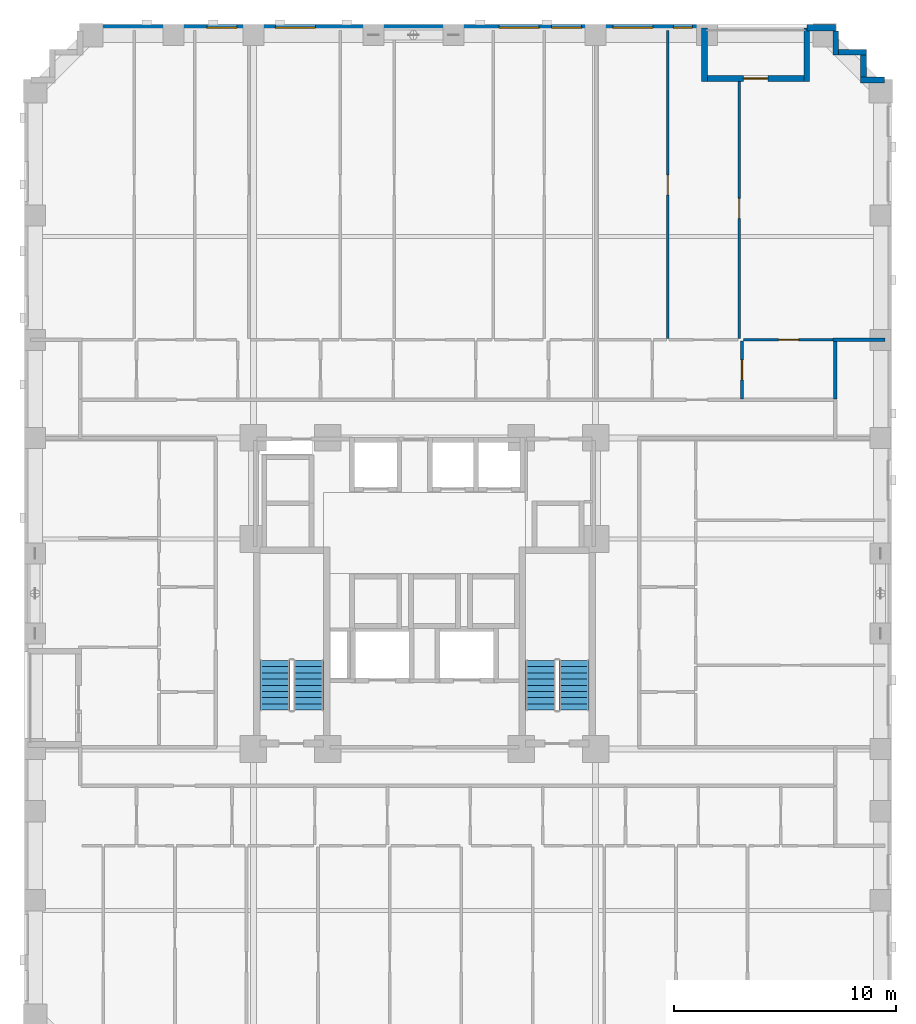
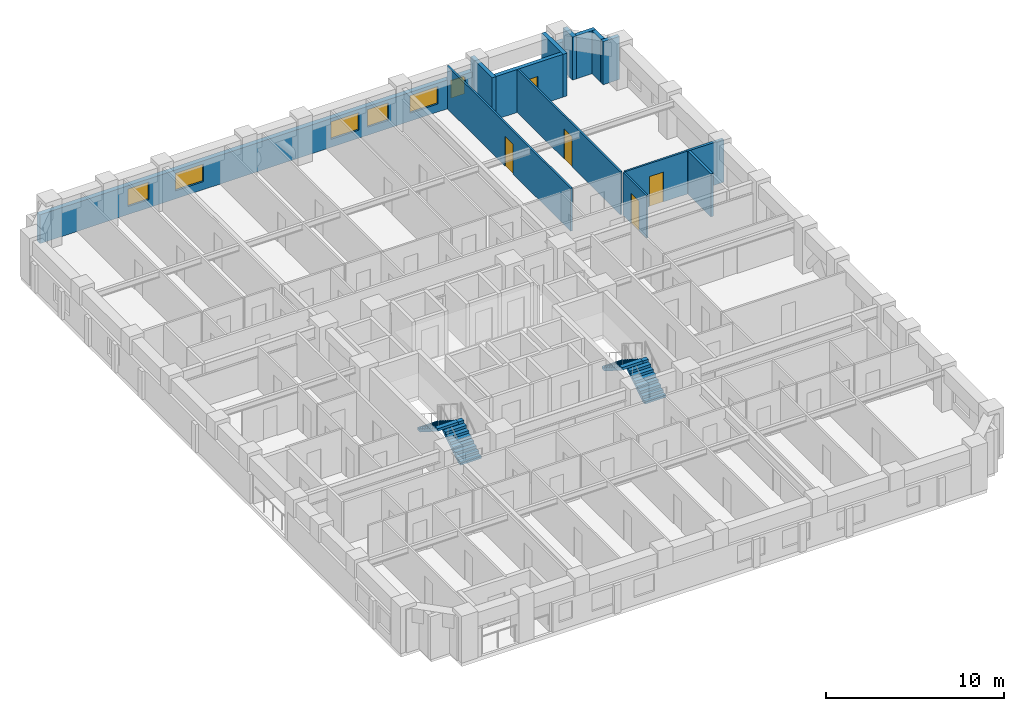
# One storey, part 9 of 14: 15 walls, 6 windows, 5 doors, 4 stair flights, 11 openings, 2 elements without a shape of their own.
"""IFC4 building model written with IfcOpenShell, lengths in metres."""

from ifc_helpers import new_model, si_unit, derived_unit, direction, frame, frame_2d, origin, place, context, subcontext, project, spatial, polyline, rectangle, outline, extrude, material, layer, layer_set, type_object, element, fill, aggregate, save


model = new_model("IFC4")

# Units and contexts
model_context = context("Model", 3, precision=1e-05, world=origin(), true_north=direction((0.0, 1.0)))
body_context = subcontext(model_context, "Body", "Model", "MODEL_VIEW")
ifc_project = project(units=[si_unit("LENGTHUNIT", "METRE"), si_unit("AREAUNIT", "SQUARE_METRE"), si_unit("VOLUMEUNIT", "CUBIC_METRE"), si_unit("PLANEANGLEUNIT", "RADIAN"), si_unit("MASSUNIT", "GRAM", prefix="KILO"), derived_unit("THERMALTRANSMITTANCEUNIT", [(si_unit("MASSUNIT", "GRAM", prefix="KILO"), 1), (si_unit("TIMEUNIT", "SECOND"), -3), (si_unit("THERMODYNAMICTEMPERATUREUNIT", "KELVIN"), -1)])], contexts=[model_context])

# Site, building, storey
site_placement = place(None, origin())
site = spatial("IfcSite", under=ifc_project, at=site_placement, CompositionType="ELEMENT")
building_placement = place(site_placement, origin())
building = spatial("IfcBuilding", under=site, at=building_placement, Name="Korrvale Station Residences", CompositionType="ELEMENT")
storey_placement = place(building_placement, frame((0.0, 0.0, 29.0)))
storey = spatial("IfcBuildingStorey", under=building, at=storey_placement, Name="L06", CompositionType="ELEMENT", Elevation=29.0)

# Wall
ifc_material_1 = material(Name="Precast concrete C45/55", Category="concrete")
ifc_layer_1 = layer(ifc_material_1, 0.260009765625, Name="Precast concrete C45/55")
ifc_layer_set_1 = layer_set([ifc_layer_1], Name="Precast concrete C45/55")
wall_type_1 = type_object("IfcWallType", Name="WAL-EXT-LOG260", PredefinedType="SOLIDWALL", material=ifc_layer_set_1)
wall_1_placement = place(storey_placement, frame((38.10009765625, 47.43994140625, 0.0), z_axis=(0.0, 0.0, 1.0), x_axis=(0.0, -1.0, 0.0)))
element("IfcWall", 1, at=wall_1_placement, inside=storey, type_object=wall_type_1, Name="L06 Recessed Loggia Wall BAL-L06-N1-L", PredefinedType="SOLIDWALL", context=body_context, shape_type="SweptSolid", body=[
    extrude(rectangle(XDim=2.39990234375, YDim=0.260009765625, at=frame_2d((1.199951171875, 0.0))), origin(), (0.0, 0.0, 1.0), 2.93994140625),
])

# Wall, opening, door
wall_2_placement = place(storey_placement, frame((38.23388671875, 45.169921875, 0.0), z_axis=(0.0, 0.0, 1.0), x_axis=(1.0, 0.0, 0.0)))
wall_2 = element("IfcWall", 2, at=wall_2_placement, inside=storey, type_object=wall_type_1, Name="L06 Recessed Loggia Wall BAL-L06-N1-B", PredefinedType="SOLIDWALL", context=body_context, shape_type="SweptSolid", body=[
    extrude(rectangle(XDim=4.33203125, YDim=0.260009765625, at=frame_2d((2.166015625, 0.0))), origin(), (0.0, 0.0, 1.0), 2.93994140625),
])
opening_1_placement = place(wall_2_placement, frame((1.615966796875, 0.0, 0.0)))
opening_1 = element("IfcOpeningElement", 3, at=opening_1_placement, cuts=wall_2, Name="Opening BD-01", PredefinedType="OPENING", context=body_context, shape_type="SweptSolid", body=[
    extrude(rectangle(XDim=1.10009765625, YDim=2.0, at=frame_2d((0.550048828125, 1.0))), frame((0.0, 0.14013671875, 0.0), z_axis=(0.0, -1.0, 0.0), x_axis=(1.0, 0.0, 0.0)), (0.0, 0.0, 1.0), 0.280029296875),
])
ifc_material_2 = material(Name="Exterior thermally broken aluminium glazed balcony door", Category="aluminium")
door_type_1 = type_object("IfcDoorType", Name="DR-EXT-BAL", OperationType="NOTDEFINED", PredefinedType="DOOR", material=ifc_material_2)
door_1_placement = place(opening_1_placement, origin())
door_1 = element("IfcDoor", 4, at=door_1_placement, inside=storey, type_object=door_type_1, Name="L06 Loggia Balcony Door BAL-L06-N1", OperationType="SINGLE_SWING_RIGHT", OverallHeight=2.0, OverallWidth=1.10009765625, PredefinedType="DOOR", context=body_context, shape_type="SweptSolid", body=[
    extrude(rectangle(XDim=1.10009765625, YDim=2.0, at=frame_2d((0.550048828125, 1.0))), frame((0.0, 0.02490234375, 0.0), z_axis=(0.0, -1.0, 0.0), x_axis=(1.0, 0.0, 0.0)), (0.0, 0.0, 1.0), 0.050048828125),
])
fill(opening_1, door_1)

# Walls
wall_3_placement = place(storey_placement, frame((42.699951171875, 45.0400390625, 0.0), z_axis=(0.0, 0.0, 1.0), x_axis=(0.0, 1.0, 0.0)))
element("IfcWall", 5, at=wall_3_placement, inside=storey, type_object=wall_type_1, Name="L06 Recessed Loggia Wall BAL-L06-N1-R", PredefinedType="SOLIDWALL", context=body_context, shape_type="SweptSolid", body=[
    extrude(rectangle(XDim=2.39990234375, YDim=0.260009765625, at=frame_2d((1.199951171875, 0.0))), origin(), (0.0, 0.0, 1.0), 2.93994140625),
])
wall_4_placement = place(storey_placement, frame((44.0, 47.298095703125, 0.0), z_axis=(0.0, 0.0, 1.0), x_axis=(0.0, -1.0, 0.0)))
element("IfcWall", 6, at=wall_4_placement, inside=storey, type_object=wall_type_1, Name="L06 Serrated Corner Precast Step NE-1", PredefinedType="SOLIDWALL", context=body_context, shape_type="SweptSolid", body=[
    extrude(rectangle(XDim=1.078125, YDim=0.260009765625, at=frame_2d((0.5390625, 0.0))), origin(), (0.0, 0.0, 1.0), 2.93994140625),
])
wall_5_placement = place(storey_placement, frame((44.132080078125, 46.35009765625, 0.0), z_axis=(0.0, 0.0, 1.0), x_axis=(1.0, 0.0, 0.0)))
element("IfcWall", 7, at=wall_5_placement, inside=storey, type_object=wall_type_1, Name="L06 Serrated Corner Precast Step NE-2", PredefinedType="SOLIDWALL", context=body_context, shape_type="SweptSolid", body=[
    extrude(rectangle(XDim=1.247802734375, YDim=0.260009765625, at=frame_2d((0.6240234375, 0.0))), origin(), (0.0, 0.0, 1.0), 2.93994140625),
])
wall_6_placement = place(storey_placement, frame((45.25, 46.218017578125, 0.0), z_axis=(0.0, 0.0, 1.0), x_axis=(0.0, -1.0, 0.0)))
element("IfcWall", 8, at=wall_6_placement, inside=storey, type_object=wall_type_1, Name="L06 Serrated Corner Precast Step NE-3", PredefinedType="SOLIDWALL", context=body_context, shape_type="SweptSolid", body=[
    extrude(rectangle(XDim=0.986083984375, YDim=0.260009765625, at=frame_2d((0.4931640625, 0.0))), origin(), (0.0, 0.0, 1.0), 2.93994140625),
])
wall_7_placement = place(storey_placement, frame((45.1201171875, 45.10009765625, 0.0), z_axis=(0.0, 0.0, 1.0), x_axis=(1.0, 0.0, 0.0)))
element("IfcWall", 9, at=wall_7_placement, inside=storey, type_object=wall_type_1, Name="L06 Serrated Corner Precast Step NE-4", PredefinedType="SOLIDWALL", context=body_context, shape_type="SweptSolid", body=[
    extrude(rectangle(XDim=1.077880859375, YDim=0.260009765625, at=frame_2d((0.5390625, 0.0))), origin(), (0.0, 0.0, 1.0), 2.93994140625),
])

# Wall, openings, windows
ifc_layer_2 = layer(ifc_material_1, 0.300048828125, Name="Precast concrete C45/55")
ifc_layer_set_2 = layer_set([ifc_layer_2], Name="Precast concrete C45/55")
wall_type_2 = type_object("IfcWallType", Name="WAL-EXT-PC300", PredefinedType="SOLIDWALL", material=ifc_layer_set_2)
wall_8_placement = place(storey_placement, frame((10.0, 47.449951171875, 0.0), z_axis=(0.0, 0.0, 1.0), x_axis=(1.0, 0.0, 0.0)))
wall_8 = element("IfcWall", 10, at=wall_8_placement, inside=storey, type_object=wall_type_2, Name="L06 North Exterior Precast Wall 1", PredefinedType="SOLIDWALL", context=body_context, shape_type="SweptSolid", body=[
    extrude(rectangle(XDim=28.10009765625, YDim=0.300048828125, at=frame_2d((14.050048828125, 0.0))), origin(), (0.0, 0.0, 1.0), 1.97509765625),
])
opening_2_placement = place(wall_8_placement, frame((5.7119140625, 0.0, 0.550048828125)))
opening_2 = element("IfcOpeningElement", 11, at=opening_2_placement, cuts=wall_8, Name="Opening W-10", PredefinedType="OPENING", context=body_context, shape_type="SweptSolid", body=[
    extrude(rectangle(XDim=1.35009765625, YDim=1.199951171875, at=frame_2d((0.675048828125, 0.60009765625))), frame((0.0, 0.16015625, 0.0), z_axis=(0.0, -1.0, 0.0), x_axis=(1.0, 0.0, 0.0)), (0.0, 0.0, 1.0), 0.320068359375),
])
opening_3_placement = place(wall_8_placement, frame((8.7919921875, 0.0, 0.550048828125)))
opening_3 = element("IfcOpeningElement", 12, at=opening_3_placement, cuts=wall_8, Name="Opening W-09", PredefinedType="OPENING", context=body_context, shape_type="SweptSolid", body=[
    extrude(rectangle(XDim=1.800048828125, YDim=1.199951171875, at=frame_2d((0.89990234375, 0.60009765625))), frame((0.0, 0.16015625, 0.0), z_axis=(0.0, -1.0, 0.0), x_axis=(1.0, 0.0, 0.0)), (0.0, 0.0, 1.0), 0.320068359375),
])
opening_4_placement = place(wall_8_placement, frame((18.860107421875, 0.0, 0.550048828125)))
opening_4 = element("IfcOpeningElement", 13, at=opening_4_placement, cuts=wall_8, Name="Opening W-09", PredefinedType="OPENING", context=body_context, shape_type="SweptSolid", body=[
    extrude(rectangle(XDim=1.800048828125, YDim=1.199951171875, at=frame_2d((0.89990234375, 0.60009765625))), frame((0.0, 0.16015625, 0.0), z_axis=(0.0, -1.0, 0.0), x_axis=(1.0, 0.0, 0.0)), (0.0, 0.0, 1.0), 0.320068359375),
])
opening_5_placement = place(wall_8_placement, frame((21.215087890625, 0.0, 0.550048828125)))
opening_5 = element("IfcOpeningElement", 14, at=opening_5_placement, cuts=wall_8, Name="Opening W-10", PredefinedType="OPENING", context=body_context, shape_type="SweptSolid", body=[
    extrude(rectangle(XDim=1.35009765625, YDim=1.199951171875, at=frame_2d((0.675048828125, 0.60009765625))), frame((0.0, 0.16015625, 0.0), z_axis=(0.0, -1.0, 0.0), x_axis=(1.0, 0.0, 0.0)), (0.0, 0.0, 1.0), 0.320068359375),
])
opening_6_placement = place(wall_8_placement, frame((23.968994140625, 0.0, 0.550048828125)))
opening_6 = element("IfcOpeningElement", 15, at=opening_6_placement, cuts=wall_8, Name="Opening W-09", PredefinedType="OPENING", context=body_context, shape_type="SweptSolid", body=[
    extrude(rectangle(XDim=1.800048828125, YDim=1.199951171875, at=frame_2d((0.89990234375, 0.60009765625))), frame((0.0, 0.16015625, 0.0), z_axis=(0.0, -1.0, 0.0), x_axis=(1.0, 0.0, 0.0)), (0.0, 0.0, 1.0), 0.320068359375),
])
opening_7_placement = place(wall_8_placement, frame((26.697998046875, 0.0, 0.550048828125)))
opening_7 = element("IfcOpeningElement", 16, at=opening_7_placement, cuts=wall_8, Name="Opening W-11", PredefinedType="OPENING", context=body_context, shape_type="SweptSolid", body=[
    extrude(rectangle(XDim=0.85009765625, YDim=1.199951171875, at=frame_2d((0.425048828125, 0.60009765625))), frame((0.0, 0.16015625, 0.0), z_axis=(0.0, -1.0, 0.0), x_axis=(1.0, 0.0, 0.0)), (0.0, 0.0, 1.0), 0.320068359375),
])
ifc_material_3 = material(Name="Thermally broken aluminium frame with triple low-e glazing", Category="aluminium")
window_type_1 = type_object("IfcWindowType", Name="WIN-W09", PartitioningType="DOUBLE_PANEL_VERTICAL", PredefinedType="WINDOW", material=ifc_material_3)
window_1_placement = place(opening_3_placement, origin())
window_1 = element("IfcWindow", 17, at=window_1_placement, inside=storey, type_object=window_type_1, Name="L06 Punched Window 16", OverallHeight=1.199951171875, OverallWidth=1.800048828125, PartitioningType="DOUBLE_PANEL_VERTICAL", PredefinedType="WINDOW", context=body_context, shape_type="SweptSolid", body=[
    extrude(rectangle(XDim=1.800048828125, YDim=1.199951171875, at=frame_2d((0.89990234375, 0.60009765625))), frame((0.0, 0.030029296875, 0.0), z_axis=(0.0, -1.0, 0.0), x_axis=(1.0, 0.0, 0.0)), (0.0, 0.0, 1.0), 0.06005859375),
])
fill(opening_3, window_1)
window_2_placement = place(opening_4_placement, origin())
window_2 = element("IfcWindow", 18, at=window_2_placement, inside=storey, type_object=window_type_1, Name="L06 Punched Window 17", OverallHeight=1.199951171875, OverallWidth=1.800048828125, PartitioningType="DOUBLE_PANEL_VERTICAL", PredefinedType="WINDOW", context=body_context, shape_type="SweptSolid", body=[
    extrude(rectangle(XDim=1.800048828125, YDim=1.199951171875, at=frame_2d((0.89990234375, 0.60009765625))), frame((0.0, 0.030029296875, 0.0), z_axis=(0.0, -1.0, 0.0), x_axis=(1.0, 0.0, 0.0)), (0.0, 0.0, 1.0), 0.06005859375),
])
fill(opening_4, window_2)
window_3_placement = place(opening_6_placement, origin())
window_3 = element("IfcWindow", 19, at=window_3_placement, inside=storey, type_object=window_type_1, Name="L06 Punched Window 19", OverallHeight=1.199951171875, OverallWidth=1.800048828125, PartitioningType="DOUBLE_PANEL_VERTICAL", PredefinedType="WINDOW", context=body_context, shape_type="SweptSolid", body=[
    extrude(rectangle(XDim=1.800048828125, YDim=1.199951171875, at=frame_2d((0.89990234375, 0.60009765625))), frame((0.0, 0.030029296875, 0.0), z_axis=(0.0, -1.0, 0.0), x_axis=(1.0, 0.0, 0.0)), (0.0, 0.0, 1.0), 0.06005859375),
])
fill(opening_6, window_3)
window_type_2 = type_object("IfcWindowType", Name="WIN-W10", PartitioningType="SINGLE_PANEL", PredefinedType="WINDOW", material=ifc_material_3)
window_4_placement = place(opening_2_placement, origin())
window_4 = element("IfcWindow", 20, at=window_4_placement, inside=storey, type_object=window_type_2, Name="L06 Punched Window 15", OverallHeight=1.199951171875, OverallWidth=1.35009765625, PartitioningType="SINGLE_PANEL", PredefinedType="WINDOW", context=body_context, shape_type="SweptSolid", body=[
    extrude(rectangle(XDim=1.35009765625, YDim=1.199951171875, at=frame_2d((0.675048828125, 0.60009765625))), frame((0.0, 0.030029296875, 0.0), z_axis=(0.0, -1.0, 0.0), x_axis=(1.0, 0.0, 0.0)), (0.0, 0.0, 1.0), 0.06005859375),
])
fill(opening_2, window_4)
window_5_placement = place(opening_5_placement, origin())
window_5 = element("IfcWindow", 21, at=window_5_placement, inside=storey, type_object=window_type_2, Name="L06 Punched Window 18", OverallHeight=1.199951171875, OverallWidth=1.35009765625, PartitioningType="SINGLE_PANEL", PredefinedType="WINDOW", context=body_context, shape_type="SweptSolid", body=[
    extrude(rectangle(XDim=1.35009765625, YDim=1.199951171875, at=frame_2d((0.675048828125, 0.60009765625))), frame((0.0, 0.030029296875, 0.0), z_axis=(0.0, -1.0, 0.0), x_axis=(1.0, 0.0, 0.0)), (0.0, 0.0, 1.0), 0.06005859375),
])
fill(opening_5, window_5)
window_type_3 = type_object("IfcWindowType", Name="WIN-W11", PartitioningType="SINGLE_PANEL", PredefinedType="WINDOW", material=ifc_material_3)
window_6_placement = place(opening_7_placement, origin())
window_6 = element("IfcWindow", 22, at=window_6_placement, inside=storey, type_object=window_type_3, Name="L06 Punched Window 20", OverallHeight=1.199951171875, OverallWidth=0.85009765625, PartitioningType="SINGLE_PANEL", PredefinedType="WINDOW", context=body_context, shape_type="SweptSolid", body=[
    extrude(rectangle(XDim=0.85009765625, YDim=1.199951171875, at=frame_2d((0.425048828125, 0.60009765625))), frame((0.0, 0.030029296875, 0.0), z_axis=(0.0, -1.0, 0.0), x_axis=(1.0, 0.0, 0.0)), (0.0, 0.0, 1.0), 0.06005859375),
])
fill(opening_7, window_6)

# Wall
wall_9_placement = place(storey_placement, frame((42.699951171875, 47.449951171875, 0.0), z_axis=(0.0, 0.0, 1.0), x_axis=(1.0, 0.0, 0.0)))
element("IfcWall", 23, at=wall_9_placement, inside=storey, type_object=wall_type_2, Name="L06 North Exterior Precast Wall 2", PredefinedType="SOLIDWALL", context=body_context, shape_type="SweptSolid", body=[
    extrude(rectangle(XDim=1.300048828125, YDim=0.300048828125, at=frame_2d((0.64990234375, 0.0))), origin(), (0.0, 0.0, 1.0), 1.97509765625),
])

# Wall, opening, door
ifc_material_4 = material(Name="Acoustic steel-stud gypsum board partition", Category="steel")
ifc_layer_3 = layer(ifc_material_4, 0.1201171875, Name="Acoustic steel-stud gypsum board partition")
ifc_layer_set_3 = layer_set([ifc_layer_3], Name="Acoustic steel-stud gypsum board partition")
wall_type_3 = type_object("IfcWallType", Name="WAL-PART-125", PredefinedType="PARTITIONING", material=ifc_layer_set_3)
wall_10_placement = place(storey_placement, frame((39.780029296875, 30.760009765625, 0.0), z_axis=(0.0, 0.0, 1.0), x_axis=(0.0, 1.0, 0.0)))
wall_10 = element("IfcWall", 24, at=wall_10_placement, inside=storey, type_object=wall_type_3, Name="L06 Suite Partition U03-V12", PredefinedType="PARTITIONING", context=body_context, shape_type="SweptSolid", body=[
    extrude(rectangle(XDim=2.60009765625, YDim=0.1201171875, at=frame_2d((1.300048828125, 0.0))), origin(), (0.0, 0.0, 1.0), 2.93994140625),
])
opening_8_placement = place(wall_10_placement, frame((0.85009765625, 0.0, 0.0)))
opening_8 = element("IfcOpeningElement", 25, at=opening_8_placement, cuts=wall_10, Name="Opening DI-900", PredefinedType="OPENING", context=body_context, shape_type="SweptSolid", body=[
    extrude(rectangle(XDim=0.89990234375, YDim=2.050048828125, at=frame_2d((0.449951171875, 1.02490234375))), frame((0.0, 0.070068359375, 0.0), z_axis=(0.0, -1.0, 0.0), x_axis=(1.0, 0.0, 0.0)), (0.0, 0.0, 1.0), 0.14013671875),
])
ifc_material_5 = material(Name="Painted solid-core timber interior room door", Category="wood")
door_type_2 = type_object("IfcDoorType", Name="DR-INT-900", OperationType="NOTDEFINED", PredefinedType="DOOR", material=ifc_material_5)
door_2_placement = place(opening_8_placement, origin())
door_2 = element("IfcDoor", 26, at=door_2_placement, inside=storey, type_object=door_type_2, Name="L06 Studio Apartment L06-U03 Kitchen Door", OperationType="SINGLE_SWING_LEFT", OverallHeight=2.050048828125, OverallWidth=0.89990234375, PredefinedType="DOOR", context=body_context, shape_type="SweptSolid", body=[
    extrude(rectangle(XDim=0.89990234375, YDim=2.050048828125, at=frame_2d((0.449951171875, 1.02490234375))), frame((0.0, 0.02490234375, 0.0), z_axis=(0.0, -1.0, 0.0), x_axis=(1.0, 0.0, 0.0)), (0.0, 0.0, 1.0), 0.050048828125),
])
fill(opening_8, door_2)

wall_11_placement = place(storey_placement, frame((39.840087890625, 33.419921875, 0.0), z_axis=(0.0, 0.0, 1.0), x_axis=(1.0, 0.0, 0.0)))
wall_11 = element("IfcWall", 27, at=wall_11_placement, inside=storey, type_object=wall_type_3, Name="L06 Suite Partition U03-H25", PredefinedType="PARTITIONING", context=body_context, shape_type="SweptSolid", body=[
    extrude(rectangle(XDim=4.079833984375, YDim=0.1201171875, at=frame_2d((2.0400390625, 0.0))), origin(), (0.0, 0.0, 1.0), 2.93994140625),
])
opening_9_placement = place(wall_11_placement, frame((1.590087890625, 0.0, 0.0)))
opening_9 = element("IfcOpeningElement", 28, at=opening_9_placement, cuts=wall_11, Name="Opening DI-900", PredefinedType="OPENING", context=body_context, shape_type="SweptSolid", body=[
    extrude(rectangle(XDim=0.89990234375, YDim=2.050048828125, at=frame_2d((0.449951171875, 1.02490234375))), frame((0.0, 0.070068359375, 0.0), z_axis=(0.0, -1.0, 0.0), x_axis=(1.0, 0.0, 0.0)), (0.0, 0.0, 1.0), 0.14013671875),
])
door_3_placement = place(opening_9_placement, origin())
door_3 = element("IfcDoor", 29, at=door_3_placement, inside=storey, type_object=door_type_2, Name="L06 Studio Apartment L06-U03 Utility and Laundry Room Door", OperationType="SINGLE_SWING_LEFT", OverallHeight=2.050048828125, OverallWidth=0.89990234375, PredefinedType="DOOR", context=body_context, shape_type="SweptSolid", body=[
    extrude(rectangle(XDim=0.89990234375, YDim=2.050048828125, at=frame_2d((0.449951171875, 1.02490234375))), frame((0.0, 0.02490234375, 0.0), z_axis=(0.0, -1.0, 0.0), x_axis=(1.0, 0.0, 0.0)), (0.0, 0.0, 1.0), 0.050048828125),
])
fill(opening_9, door_3)

wall_12_placement = place(storey_placement, frame((36.43994140625, 33.47998046875, 0.0), z_axis=(0.0, 0.0, 1.0), x_axis=(0.0, 1.0, 0.0)))
wall_12 = element("IfcWall", 30, at=wall_12_placement, inside=storey, type_object=wall_type_3, Name="L06 Suite Partition U03-V34", PredefinedType="PARTITIONING", context=body_context, shape_type="SweptSolid", body=[
    extrude(rectangle(XDim=13.840087890625, YDim=0.1201171875, at=frame_2d((6.919921875, 0.0))), origin(), (0.0, 0.0, 1.0), 2.93994140625),
])
opening_10_placement = place(wall_12_placement, frame((6.455078125, 0.0, 0.0)))
opening_10 = element("IfcOpeningElement", 31, at=opening_10_placement, cuts=wall_12, Name="Opening DI-900", PredefinedType="OPENING", context=body_context, shape_type="SweptSolid", body=[
    extrude(rectangle(XDim=0.89990234375, YDim=2.050048828125, at=frame_2d((0.449951171875, 1.02490234375))), frame((0.0, 0.070068359375, 0.0), z_axis=(0.0, -1.0, 0.0), x_axis=(1.0, 0.0, 0.0)), (0.0, 0.0, 1.0), 0.14013671875),
])
door_4_placement = place(opening_10_placement, origin())
door_4 = element("IfcDoor", 32, at=door_4_placement, inside=storey, type_object=door_type_2, Name="L06 Studio Apartment L06-U03 Walk-In Wardrobe Door", OperationType="SINGLE_SWING_RIGHT", OverallHeight=2.050048828125, OverallWidth=0.89990234375, PredefinedType="DOOR", context=body_context, shape_type="SweptSolid", body=[
    extrude(rectangle(XDim=0.89990234375, YDim=2.050048828125, at=frame_2d((0.449951171875, 1.02490234375))), frame((0.0, 0.02490234375, 0.0), z_axis=(0.0, -1.0, 0.0), x_axis=(1.0, 0.0, 0.0)), (0.0, 0.0, 1.0), 0.050048828125),
])
fill(opening_10, door_4)

wall_13_placement = place(storey_placement, frame((39.659912109375, 33.47998046875, 0.0), z_axis=(0.0, 0.0, 1.0), x_axis=(0.0, 1.0, 0.0)))
wall_13 = element("IfcWall", 33, at=wall_13_placement, inside=storey, type_object=wall_type_3, Name="L06 Suite Partition U03-V45", PredefinedType="PARTITIONING", context=body_context, shape_type="SweptSolid", body=[
    extrude(rectangle(XDim=11.68994140625, YDim=0.1201171875, at=frame_2d((5.844970703125, 0.0))), origin(), (0.0, 0.0, 1.0), 2.93994140625),
])
opening_11_placement = place(wall_13_placement, frame((5.39501953125, 0.0, 0.0)))
opening_11 = element("IfcOpeningElement", 34, at=opening_11_placement, cuts=wall_13, Name="Opening DI-900", PredefinedType="OPENING", context=body_context, shape_type="SweptSolid", body=[
    extrude(rectangle(XDim=0.89990234375, YDim=2.050048828125, at=frame_2d((0.449951171875, 1.02490234375))), frame((0.0, 0.070068359375, 0.0), z_axis=(0.0, -1.0, 0.0), x_axis=(1.0, 0.0, 0.0)), (0.0, 0.0, 1.0), 0.14013671875),
])
door_5_placement = place(opening_11_placement, origin())
door_5 = element("IfcDoor", 35, at=door_5_placement, inside=storey, type_object=door_type_2, Name="L06 Studio Apartment L06-U03 Walk-In Wardrobe Door", OperationType="SINGLE_SWING_LEFT", OverallHeight=2.050048828125, OverallWidth=0.89990234375, PredefinedType="DOOR", context=body_context, shape_type="SweptSolid", body=[
    extrude(rectangle(XDim=0.89990234375, YDim=2.050048828125, at=frame_2d((0.449951171875, 1.02490234375))), frame((0.0, 0.02490234375, 0.0), z_axis=(0.0, -1.0, 0.0), x_axis=(1.0, 0.0, 0.0)), (0.0, 0.0, 1.0), 0.050048828125),
])
fill(opening_11, door_5)

# Walls
ifc_material_6 = material(Name="Fire-rated twin-stud gypsum and mineral wool shaftwall assembly", Category="gypsum")
ifc_layer_4 = layer(ifc_material_6, 0.159912109375, Name="Fire-rated twin-stud gypsum and mineral wool shaftwall assembly")
ifc_layer_set_4 = layer_set([ifc_layer_4], Name="Fire-rated twin-stud gypsum and mineral wool shaftwall assembly")
wall_type_4 = type_object("IfcWallType", Name="WAL-PART-200", PredefinedType="PARTITIONING", material=ifc_layer_set_4)
wall_14_placement = place(storey_placement, frame((43.8798828125, 33.419921875, 0.0), z_axis=(0.0, 0.0, 1.0), x_axis=(1.0, 0.0, 0.0)))
element("IfcWall", 36, at=wall_14_placement, inside=storey, type_object=wall_type_4, Name="L06 Corner Step Wall U03-R", PredefinedType="PARTITIONING", context=body_context, shape_type="SweptSolid", body=[
    extrude(rectangle(XDim=2.340087890625, YDim=0.159912109375, at=frame_2d((1.169921875, 0.0))), origin(), (0.0, 0.0, 1.0), 2.93994140625),
])
wall_15_placement = place(storey_placement, frame((43.97998046875, 30.760009765625, 0.0), z_axis=(0.0, 0.0, 1.0), x_axis=(0.0, 1.0, 0.0)))
element("IfcWall", 37, at=wall_15_placement, inside=storey, type_object=wall_type_4, Name="L06 Corner Step Cheek U03-R", PredefinedType="PARTITIONING", context=body_context, shape_type="SweptSolid", body=[
    extrude(rectangle(XDim=2.659912109375, YDim=0.159912109375, at=frame_2d((1.330078125, 0.0))), origin(), (0.0, 0.0, 1.0), 2.93994140625),
])

# Stair, stair flights
ifc_material_7 = material(Name="Concrete C50/60", Category="concrete")
stair_type = type_object("IfcStairType", Name="STR-DL-1350-18R-1778", PredefinedType="HALF_TURN_STAIR", material=ifc_material_7)
stair_1_placement = place(storey_placement, origin())
stair_1 = element("IfcStair", 38, at=stair_1_placement, inside=storey, type_object=stair_type, Name="L06 Exit Stair 1", PredefinedType="HALF_TURN_STAIR")
stair_flight_type = type_object("IfcStairFlightType", Name="FLT-DL-1350-18R-1778", PredefinedType="STRAIGHT", material=ifc_material_7)
stair_flight_1_placement = place(storey_placement, frame((20.27490234375, 16.75, 0.0), z_axis=(0.0, 0.0, 1.0), x_axis=(0.0, 1.0, 0.0)))
stair_flight_1 = element("IfcStairFlight", 39, at=stair_flight_1_placement, type_object=stair_flight_type, Name="ST-1 flight 1", NumberOfRisers=9, NumberOfTreads=8, PredefinedType="STRAIGHT", RiserHeight=0.177777778, TreadLength=0.28, context=body_context, shape_type="SweptSolid", body=[
    extrude(outline(polyline([(0.0, 0.0), (0.0, 0.177734375), (0.280029296875, 0.177734375), (0.280029296875, 0.35546875), (0.56005859375, 0.35546875), (0.56005859375, 0.533447265625), (0.840087890625, 0.533447265625), (0.840087890625, 0.711181640625), (1.1201171875, 0.711181640625), (1.1201171875, 0.888916015625), (1.39990234375, 0.888916015625), (1.39990234375, 1.066650390625), (1.679931640625, 1.066650390625), (1.679931640625, 1.244384765625), (1.9599609375, 1.244384765625), (1.9599609375, 1.422119140625), (2.239990234375, 1.422119140625), (2.239990234375, 1.60009765625), (2.239990234375, 1.24462890625), (0.27978515625, 0.0), (0.0, 0.0)])), frame((0.0, 0.675048828125, 0.0), z_axis=(0.0, -1.0, 0.0), x_axis=(1.0, 0.0, 0.0)), (0.0, 0.0, 1.0), 1.35009765625),
])
stair_flight_2_placement = place(storey_placement, frame((18.77490234375, 18.989990234375, 1.60009765625), z_axis=(0.0, 0.0, 1.0), x_axis=(0.0, -1.0, 0.0)))
stair_flight_2 = element("IfcStairFlight", 40, at=stair_flight_2_placement, type_object=stair_flight_type, Name="ST-1 flight 2", NumberOfRisers=9, NumberOfTreads=8, PredefinedType="STRAIGHT", RiserHeight=0.177777778, TreadLength=0.28, context=body_context, shape_type="SweptSolid", body=[
    extrude(outline(polyline([(0.0, 0.0), (0.0, 0.177734375), (0.280029296875, 0.177734375), (0.280029296875, 0.35546875), (0.56005859375, 0.35546875), (0.56005859375, 0.533447265625), (0.840087890625, 0.533447265625), (0.840087890625, 0.711181640625), (1.1201171875, 0.711181640625), (1.1201171875, 0.888916015625), (1.39990234375, 0.888916015625), (1.39990234375, 1.066650390625), (1.679931640625, 1.066650390625), (1.679931640625, 1.244384765625), (1.9599609375, 1.244384765625), (1.9599609375, 1.422119140625), (2.239990234375, 1.422119140625), (2.239990234375, 1.60009765625), (2.239990234375, 1.24462890625), (0.27978515625, 0.0), (0.0, 0.0)])), frame((0.0, 0.675048828125, 0.0), z_axis=(0.0, -1.0, 0.0), x_axis=(1.0, 0.0, 0.0)), (0.0, 0.0, 1.0), 1.35009765625),
])
aggregate(stair_1, [stair_flight_1, stair_flight_2])

stair_2_placement = place(storey_placement, origin())
stair_2 = element("IfcStair", 41, at=stair_2_placement, inside=storey, type_object=stair_type, Name="L06 Exit Stair 2", PredefinedType="HALF_TURN_STAIR")
stair_flight_3_placement = place(storey_placement, frame((32.22509765625, 16.75, 0.0), z_axis=(0.0, 0.0, 1.0), x_axis=(0.0, 1.0, 0.0)))
stair_flight_3 = element("IfcStairFlight", 42, at=stair_flight_3_placement, type_object=stair_flight_type, Name="ST-2 flight 1", NumberOfRisers=9, NumberOfTreads=8, PredefinedType="STRAIGHT", RiserHeight=0.177777778, TreadLength=0.28, context=body_context, shape_type="SweptSolid", body=[
    extrude(outline(polyline([(0.0, 0.0), (0.0, 0.177734375), (0.280029296875, 0.177734375), (0.280029296875, 0.35546875), (0.56005859375, 0.35546875), (0.56005859375, 0.533447265625), (0.840087890625, 0.533447265625), (0.840087890625, 0.711181640625), (1.1201171875, 0.711181640625), (1.1201171875, 0.888916015625), (1.39990234375, 0.888916015625), (1.39990234375, 1.066650390625), (1.679931640625, 1.066650390625), (1.679931640625, 1.244384765625), (1.9599609375, 1.244384765625), (1.9599609375, 1.422119140625), (2.239990234375, 1.422119140625), (2.239990234375, 1.60009765625), (2.239990234375, 1.24462890625), (0.27978515625, 0.0), (0.0, 0.0)])), frame((0.0, 0.675048828125, 0.0), z_axis=(0.0, -1.0, 0.0), x_axis=(1.0, 0.0, 0.0)), (0.0, 0.0, 1.0), 1.35009765625),
])
stair_flight_4_placement = place(storey_placement, frame((30.72509765625, 18.989990234375, 1.60009765625), z_axis=(0.0, 0.0, 1.0), x_axis=(0.0, -1.0, 0.0)))
stair_flight_4 = element("IfcStairFlight", 43, at=stair_flight_4_placement, type_object=stair_flight_type, Name="ST-2 flight 2", NumberOfRisers=9, NumberOfTreads=8, PredefinedType="STRAIGHT", RiserHeight=0.177777778, TreadLength=0.28, context=body_context, shape_type="SweptSolid", body=[
    extrude(outline(polyline([(0.0, 0.0), (0.0, 0.177734375), (0.280029296875, 0.177734375), (0.280029296875, 0.35546875), (0.56005859375, 0.35546875), (0.56005859375, 0.533447265625), (0.840087890625, 0.533447265625), (0.840087890625, 0.711181640625), (1.1201171875, 0.711181640625), (1.1201171875, 0.888916015625), (1.39990234375, 0.888916015625), (1.39990234375, 1.066650390625), (1.679931640625, 1.066650390625), (1.679931640625, 1.244384765625), (1.9599609375, 1.244384765625), (1.9599609375, 1.422119140625), (2.239990234375, 1.422119140625), (2.239990234375, 1.60009765625), (2.239990234375, 1.24462890625), (0.27978515625, 0.0), (0.0, 0.0)])), frame((0.0, 0.675048828125, 0.0), z_axis=(0.0, -1.0, 0.0), x_axis=(1.0, 0.0, 0.0)), (0.0, 0.0, 1.0), 1.35009765625),
])
aggregate(stair_2, [stair_flight_3, stair_flight_4])

save(model, "model.ifc")
